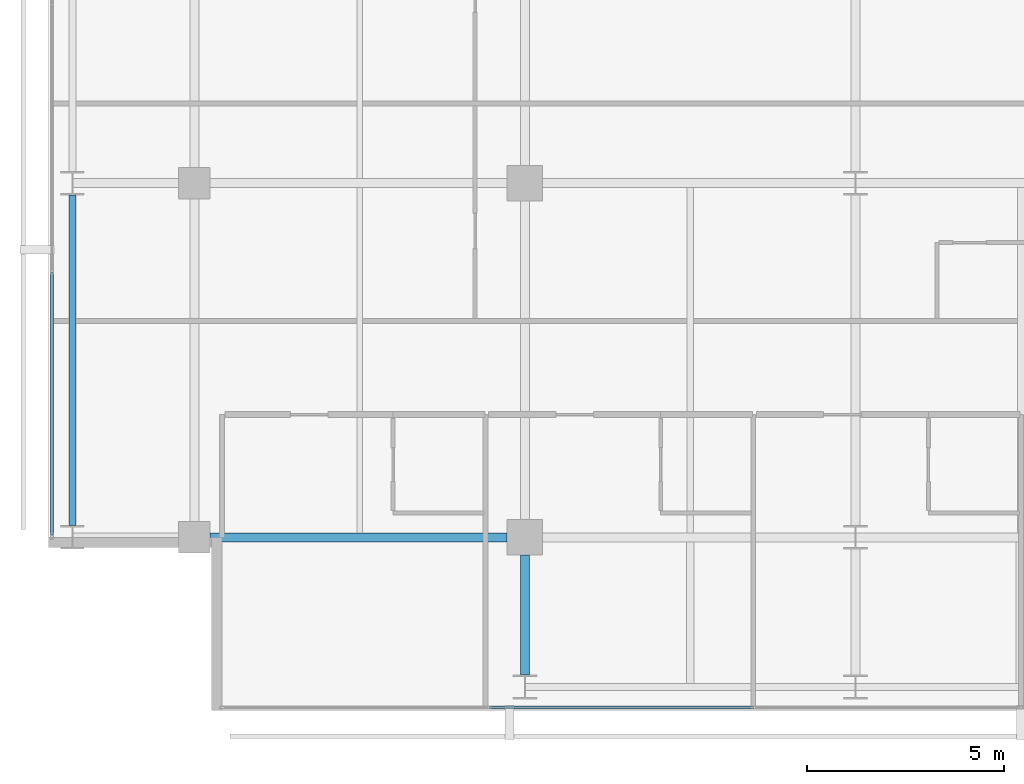
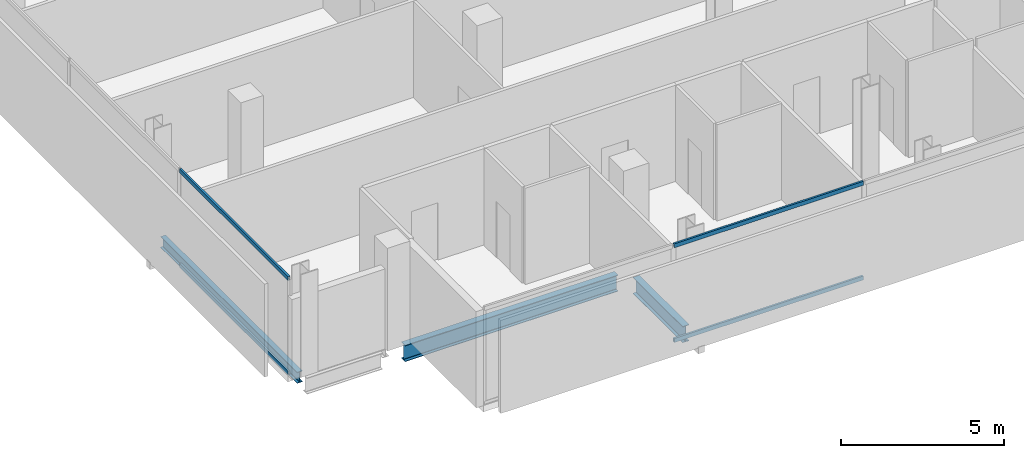
# One storey, part 3 of 33: 4 members, 3 beams, 2 elements without a shape of their own.
"""IFC4 building model written with IfcOpenShell, lengths in metres."""

from ifc_helpers import new_model, si_unit, direction, frame, origin, origin_2d, place, context, subcontext, project, spatial, hollow_rectangle, i_section, extrude, material, layer, layer_set, material_profile, profile_set, type_object, element, aggregate, save


model = new_model("IFC4")

# Units and contexts
model_context = context("Model", 3, precision=1e-05, world=origin(), true_north=direction((0.0, 1.0)))
body_context = subcontext(model_context, "Body", "Model", "MODEL_VIEW")
ifc_project = project(units=[si_unit("LENGTHUNIT", "METRE"), si_unit("AREAUNIT", "SQUARE_METRE"), si_unit("VOLUMEUNIT", "CUBIC_METRE"), si_unit("PLANEANGLEUNIT", "RADIAN"), si_unit("MASSUNIT", "GRAM", prefix="KILO")], contexts=[model_context])

# Site, building, storey
site_placement = place(None, origin())
site = spatial("IfcSite", under=ifc_project, at=site_placement, CompositionType="ELEMENT")
building_placement = place(site_placement, origin())
building = spatial("IfcBuilding", under=site, at=building_placement, Name="Maruvema Waterfront Hotel and Observation Tower", CompositionType="ELEMENT")
storey_placement = place(building_placement, frame((0.0, 0.0, 150.5)))
storey = spatial("IfcBuildingStorey", under=building, at=storey_placement, Name="L36", CompositionType="ELEMENT", Elevation=150.5)

# Curtain wall, members
ifc_material_1 = material(Name="Anodised bronze aluminium and solar-control low-E IGU", Category="aluminium")
ifc_layer = layer(ifc_material_1, 0.159912109375, Name="Zone 2 Amber Inner Thermal Curtain Wall System CW-03")
ifc_layer_set = layer_set([ifc_layer], Name="Anodised bronze aluminium and solar-control low-E IGU")
curtain_wall_type = type_object("IfcCurtainWallType", Name="Zone 2 Amber Inner Thermal Curtain Wall System CW-03", PredefinedType="USERDEFINED", material=ifc_layer_set)
curtain_wall_1_placement = place(storey_placement, origin())
curtain_wall_1 = element("IfcCurtainWall", 1, at=curtain_wall_1_placement, inside=storey, type_object=curtain_wall_type, Name="L36 Curtain Wall CW-L36-S", ObjectType="UNITISED CURTAIN WALL", PredefinedType="USERDEFINED")
ifc_material_2 = material(Name="Anodised architectural bronze aluminium", Category="aluminium")
ifc_material_profile_1 = material_profile(ifc_material_2, hollow_rectangle(XDim=0.070068359375, YDim=0.14990234375, WallThickness=0.00390625, at=origin_2d()), Name="ALU-T70x150")
ifc_profile_set_1 = profile_set([ifc_material_profile_1], Name="Anodised architectural bronze aluminium")
member_type = type_object("IfcMemberType", Name="Curtain Wall Horizontal Transom ALU-T70x150", PredefinedType="USERDEFINED", material=ifc_profile_set_1)
member_1_placement = place(storey_placement, frame((24.296630859375, 4.679931640625, 0.030029296875), z_axis=(1.0, 0.0, 0.0), x_axis=(0.0, 1.0, 0.0)))
member_1 = element("IfcMember", 2, at=member_1_placement, type_object=member_type, Name="CW-03 transom 2.1", ObjectType="TRANSOM", PredefinedType="USERDEFINED", context=body_context, shape_type="SweptSolid", body=[
    extrude(hollow_rectangle(XDim=0.070068359375, YDim=0.14990234375, WallThickness=0.00390625, at=origin_2d()), origin(), (0.0, 0.0, 1.0), 6.706787109375),
])
member_2_placement = place(storey_placement, frame((24.296630859375, 4.679931640625, 3.580078125), z_axis=(1.0, 0.0, 0.0), x_axis=(0.0, 1.0, 0.0)))
member_2 = element("IfcMember", 3, at=member_2_placement, type_object=member_type, Name="CW-03 transom 2.2", ObjectType="TRANSOM", PredefinedType="USERDEFINED", context=body_context, shape_type="SweptSolid", body=[
    extrude(hollow_rectangle(XDim=0.070068359375, YDim=0.14990234375, WallThickness=0.00390625, at=origin_2d()), origin(), (0.0, 0.0, 1.0), 6.706787109375),
])
aggregate(curtain_wall_1, [member_1, member_2])

curtain_wall_2_placement = place(storey_placement, origin())
curtain_wall_2 = element("IfcCurtainWall", 4, at=curtain_wall_2_placement, inside=storey, type_object=curtain_wall_type, Name="L36 Curtain Wall CW-L36-W", ObjectType="UNITISED CURTAIN WALL", PredefinedType="USERDEFINED")
member_3_placement = place(storey_placement, frame((13.179931640625, 15.736572265625, 0.030029296875), z_axis=(0.0, -1.0, 0.0), x_axis=(1.0, 0.0, 0.0)))
member_3 = element("IfcMember", 5, at=member_3_placement, type_object=member_type, Name="CW-03 transom 6.1", ObjectType="TRANSOM", PredefinedType="USERDEFINED", context=body_context, shape_type="SweptSolid", body=[
    extrude(hollow_rectangle(XDim=0.070068359375, YDim=0.14990234375, WallThickness=0.00390625, at=origin_2d()), origin(), (0.0, 0.0, 1.0), 6.676513671875),
])
member_4_placement = place(storey_placement, frame((13.179931640625, 15.736572265625, 3.580078125), z_axis=(0.0, -1.0, 0.0), x_axis=(1.0, 0.0, 0.0)))
member_4 = element("IfcMember", 6, at=member_4_placement, type_object=member_type, Name="CW-03 transom 6.2", ObjectType="TRANSOM", PredefinedType="USERDEFINED", context=body_context, shape_type="SweptSolid", body=[
    extrude(hollow_rectangle(XDim=0.070068359375, YDim=0.14990234375, WallThickness=0.00390625, at=origin_2d()), origin(), (0.0, 0.0, 1.0), 6.676513671875),
])
aggregate(curtain_wall_2, [member_3, member_4])

# Beams
ifc_material_3 = material(Name="Steel ASTM A572 Grade 50", Category="steel")
ifc_material_profile_2 = material_profile(ifc_material_3, i_section(OverallWidth=0.180908203125, OverallDepth=0.4169921875, WebThickness=0.010986328125, FlangeThickness=0.018310546875, FilletRadius=0.014892578125, at=origin_2d()), Name="W410x85.0")
ifc_profile_set_2 = profile_set([ifc_material_profile_2], Name="Steel ASTM A572 Grade 50")
beam_type_1 = type_object("IfcBeamType", Name="Perimeter Spandrel Beam W410x85.0", PredefinedType="SPANDREL", material=ifc_profile_set_2)
beam_1_placement = place(storey_placement, frame((13.699951171875, 9.300048828125, -0.448486328125), z_axis=(0.0, 1.0, 0.0), x_axis=(-1.0, 0.0, 0.0)))
element("IfcBeam", 7, at=beam_1_placement, inside=storey, type_object=beam_type_1, Name="L36 Floor Girder NS-01", PredefinedType="SPANDREL", context=body_context, shape_type="SweptSolid", body=[
    extrude(i_section(OverallWidth=0.180908203125, OverallDepth=0.4169921875, WebThickness=0.010986328125, FlangeThickness=0.018310546875, FilletRadius=0.014892578125, at=origin_2d()), origin(), (0.0, 0.0, 1.0), 8.39990234375),
])
ifc_material_4 = material(Name="Steel ASTM A572 Grade 50", Category="steel")
ifc_material_profile_3 = material_profile(ifc_material_4, i_section(OverallWidth=0.22900390625, OverallDepth=0.612060546875, WebThickness=0.011962890625, FlangeThickness=0.01953125, FilletRadius=0.01806640625, at=origin_2d()), Name="W610x125.0")
ifc_profile_set_3 = profile_set([ifc_material_profile_3], Name="Steel ASTM A572 Grade 50")
beam_type_2 = type_object("IfcBeamType", Name="Primary Floor Girder W610x125.0", PredefinedType="BEAM", material=ifc_profile_set_3)
beam_2_placement = place(storey_placement, frame((17.199951171875, 9.0, -0.5458984375), z_axis=(1.0, 0.0, 0.0), x_axis=(0.0, 1.0, 0.0)))
element("IfcBeam", 8, at=beam_2_placement, inside=storey, type_object=beam_type_2, Name="L36 Floor Girder EW-05", PredefinedType="BEAM", context=body_context, shape_type="SweptSolid", body=[
    extrude(i_section(OverallWidth=0.22900390625, OverallDepth=0.612060546875, WebThickness=0.011962890625, FlangeThickness=0.01953125, FilletRadius=0.01806640625, at=origin_2d()), origin(), (0.0, 0.0, 1.0), 7.550048828125),
])
beam_3_placement = place(storey_placement, frame((25.199951171875, 5.5, -0.5458984375), z_axis=(0.0, 1.0, 0.0), x_axis=(-1.0, 0.0, 0.0)))
element("IfcBeam", 9, at=beam_3_placement, inside=storey, type_object=beam_type_2, Name="L36 Floor Girder NS-09", PredefinedType="BEAM", context=body_context, shape_type="SweptSolid", body=[
    extrude(i_section(OverallWidth=0.22900390625, OverallDepth=0.612060546875, WebThickness=0.011962890625, FlangeThickness=0.01953125, FilletRadius=0.01806640625, at=origin_2d()), origin(), (0.0, 0.0, 1.0), 3.050048828125),
])

save(model, "model.ifc")
